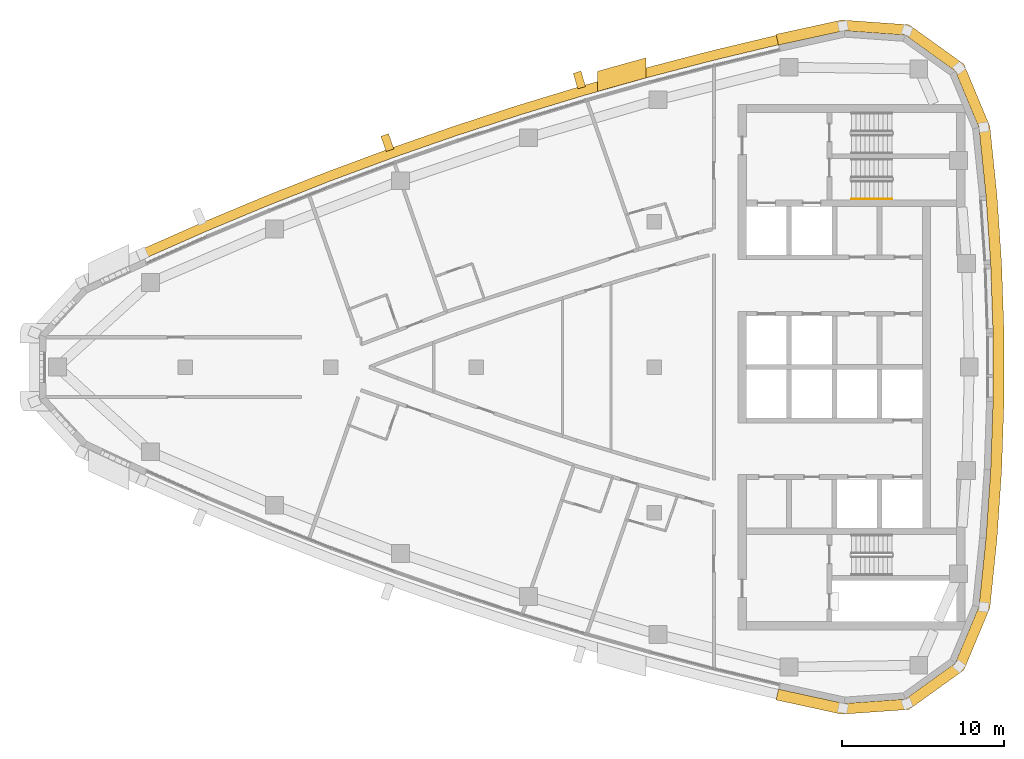
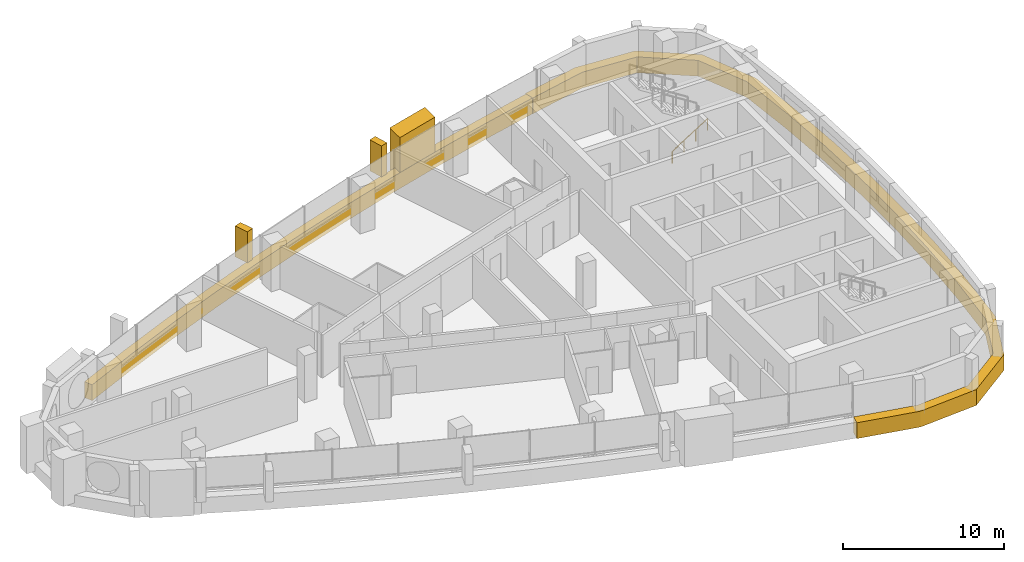
# One storey, part 13 of 14: 5 coverings, 1 railing.
"""IFC4 building model written with IfcOpenShell, lengths in metres."""

from ifc_helpers import new_model, si_unit, direction, frame, frame_2d, origin, origin_2d, place, context, subcontext, project, spatial, polyline, rectangle, circle, outline, extrude, material, layer, layer_set, type_object, element, save


model = new_model("IFC4")

# Units and contexts
model_context = context("Model", 3, precision=1e-05, world=origin(), true_north=direction((0.0, 1.0)))
body_context = subcontext(model_context, "Body", "Model", "MODEL_VIEW")
ifc_project = project(units=[si_unit("LENGTHUNIT", "METRE"), si_unit("AREAUNIT", "SQUARE_METRE"), si_unit("VOLUMEUNIT", "CUBIC_METRE"), si_unit("PLANEANGLEUNIT", "RADIAN"), si_unit("MASSUNIT", "GRAM", prefix="KILO")], contexts=[model_context])

# Site, building, storey
site_placement = place(None, origin())
site = spatial("IfcSite", under=ifc_project, at=site_placement, CompositionType="ELEMENT")
building_placement = place(site_placement, origin())
building = spatial("IfcBuilding", under=site, at=building_placement, Name="Ostrand Prow Hotel Tower", CompositionType="ELEMENT")
storey_placement = place(building_placement, frame((0.0, 0.0, 271.449951171875)))
storey = spatial("IfcBuildingStorey", under=building, at=storey_placement, Name="L68", CompositionType="ELEMENT", Elevation=271.449951171875)

# Coverings
ifc_material_1 = material(Name="Bronze anodised aluminium cladding", Category="aluminium")
ifc_layer_1 = layer(ifc_material_1, 0.60009765625)
ifc_layer_set_1 = layer_set([ifc_layer_1], Name="Bronze anodised aluminium cladding")
covering_type_1 = type_object("IfcCoveringType", Name="Bronze spandrel band 1200x600", PredefinedType="CLADDING", material=ifc_layer_set_1)
covering_1_placement = place(storey_placement, frame((0.0, 0.0, -0.300048828125)))
element("IfcCovering", 1, at=covering_1_placement, inside=storey, type_object=covering_type_1, Name="Spandrel band N1", PredefinedType="CLADDING", context=body_context, shape_type="SweptSolid", body=[
    extrude(outline(polyline([(52.55615234375, 20.52880859375), (48.51220703125, 19.56103515625), (44.48828125, 18.51220703125), (40.486328125, 17.382568359375), (36.508056640625, 16.172607421875), (32.5546875, 14.88330078125), (28.62841796875, 13.514404296875), (24.72998046875, 12.067138671875), (20.86181640625, 10.541748046875), (17.02490234375, 8.938720703125), (13.220947265625, 7.25927734375), (13.468994140625, 6.712890625), (17.26171875, 8.3876953125), (21.08740234375, 9.98583984375), (24.944580078125, 11.5068359375), (28.83154296875, 12.949951171875), (32.74658203125, 14.314697265625), (36.6884765625, 15.6005859375), (40.6552734375, 16.806884765625), (44.6455078125, 17.93310546875), (48.65771484375, 18.97900390625), (52.68994140625, 19.94384765625), (52.55615234375, 20.52880859375)])), origin(), (0.0, 0.0, 1.0), 1.2001953125),
])
covering_2_placement = place(storey_placement, frame((0.0, 0.0, -0.300048828125)))
element("IfcCovering", 2, at=covering_2_placement, inside=storey, type_object=covering_type_1, Name="Spandrel band back 1", PredefinedType="CLADDING", context=body_context, shape_type="SweptSolid", body=[
    extrude(outline(polyline([(52.542236328125, -20.58984375), (56.606201171875, -21.476318359375), (60.771728515625, -21.17919921875), (64.162841796875, -18.741455078125), (65.77197265625, -14.887451171875), (66.2080078125, -10.646240234375), (66.498779296875, -6.392822265625), (66.644287109375, -2.131591796875), (66.644287109375, 2.131591796875), (66.498779296875, 6.392822265625), (66.2080078125, 10.646240234375), (65.77197265625, 14.887451171875), (64.162841796875, 18.741455078125), (60.771728515625, 21.17919921875), (56.606201171875, 21.476318359375), (52.542236328125, 20.58984375), (52.69384765625, 19.927001953125), (56.744384765625, 20.810546875), (60.540283203125, 20.539794921875), (63.630615234375, 18.318359375), (65.0966796875, 14.806396484375), (65.530517578125, 10.58837890625), (65.819580078125, 6.35791015625), (65.964599609375, 2.1201171875), (65.964599609375, -2.1201171875), (65.819580078125, -6.35791015625), (65.530517578125, -10.58837890625), (65.0966796875, -14.806396484375), (63.630615234375, -18.318359375), (60.540283203125, -20.539794921875), (56.744384765625, -20.810546875), (52.69384765625, -19.927001953125), (52.542236328125, -20.58984375)])), origin(), (0.0, 0.0, 1.0), 1.2001953125),
])
ifc_material_2 = material(Name="Limestone cladding", Category="masonry")
ifc_layer_2 = layer(ifc_material_2, 5.0)
ifc_layer_set_2 = layer_set([ifc_layer_2], Name="Limestone cladding")
covering_type_2 = type_object("IfcCoveringType", Name="Portal jamb pilaster limestone", PredefinedType="CLADDING", material=ifc_layer_set_2)
covering_3_placement = place(storey_placement, origin())
element("IfcCovering", 3, at=covering_3_placement, inside=storey, type_object=covering_type_2, Name="Portal jamb NB L68", PredefinedType="CLADDING", context=body_context, shape_type="SweptSolid", body=[
    extrude(outline(polyline([(41.5, 17.052490234375), (42.5, 17.338134765625), (43.5, 17.61865234375), (44.5, 17.8935546875), (44.5, 19.136962890625), (43.5, 18.86376953125), (42.5, 18.585205078125), (41.5, 18.301025390625), (41.5, 17.052490234375)])), origin(), (0.0, 0.0, 1.0), 3.550048828125),
])
ifc_material_3 = material(Name="Limestone cladding", Category="masonry")
ifc_layer_3 = layer(ifc_material_3, 0.5)
ifc_layer_set_3 = layer_set([ifc_layer_3], Name="Limestone cladding")
covering_type_3 = type_object("IfcCoveringType", Name="Precast stone fin 500x900", PredefinedType="CLADDING", material=ifc_layer_set_3)
covering_4_placement = place(storey_placement, frame((40.5146484375, 17.28662109375, 0.900146484375), z_axis=(0.0, 0.0, 1.0), x_axis=(-0.281293696661, 0.959621725587, 0.0)))
element("IfcCovering", 4, at=covering_4_placement, inside=storey, type_object=covering_type_3, Name="Stone fin N 4", PredefinedType="CLADDING", context=body_context, shape_type="SweptSolid", body=[
    extrude(rectangle(XDim=0.999755859375, YDim=0.5, at=frame_2d((0.5, 0.0))), origin(), (0.0, 0.0, 1.0), 2.349853515625),
])
covering_5_placement = place(storey_placement, frame((28.662109375, 13.42041015625, 0.900146484375), z_axis=(0.0, 0.0, 1.0), x_axis=(-0.338624368902, 0.940921642213, 0.0)))
element("IfcCovering", 5, at=covering_5_placement, inside=storey, type_object=covering_type_3, Name="Stone fin N 7", PredefinedType="CLADDING", context=body_context, shape_type="SweptSolid", body=[
    extrude(rectangle(XDim=1.0, YDim=0.5, at=frame_2d((0.5, 0.0))), origin(), (0.0, 0.0, 1.0), 2.349853515625),
])

# Railing
ifc_material_4 = material(Name="Stainless steel", Category="steel")
railing_type = type_object("IfcRailingType", Name="Stair handrail 900", PredefinedType="HANDRAIL", material=ifc_material_4)
railing_placement = place(storey_placement, frame((57.199951171875, 10.39990234375, 0.177490234375)))
element("IfcRailing", 6, at=railing_placement, inside=storey, type_object=railing_type, Name="L68 ST1C stair handrail 1", PredefinedType="HANDRAIL", context=body_context, shape_type="SweptSolid", body=[
    extrude(circle(Radius=0.02392578125, at=origin_2d()), frame((0.0, 0.0, 0.8759765625), z_axis=(0.84456994832, 0.0, 0.535445237532), x_axis=(0.0, 1.0, 0.0)), (0.0, 0.0, 1.0), 2.98388671875),
    extrude(circle(Radius=0.02099609375, at=origin_2d()), origin(), (0.0, 0.0, 1.0), 0.851806640625),
    extrude(circle(Radius=0.02099609375, at=origin_2d()), frame((0.840087890625, 0.0, 0.532470703125)), (0.0, 0.0, 1.0), 0.851806640625),
    extrude(circle(Radius=0.02099609375, at=origin_2d()), frame((1.679931640625, 0.0, 1.065185546875)), (0.0, 0.0, 1.0), 0.851806640625),
    extrude(circle(Radius=0.02099609375, at=origin_2d()), frame((2.52001953125, 0.0, 1.59765625)), (0.0, 0.0, 1.0), 0.851806640625),
])

save(model, "model.ifc")
